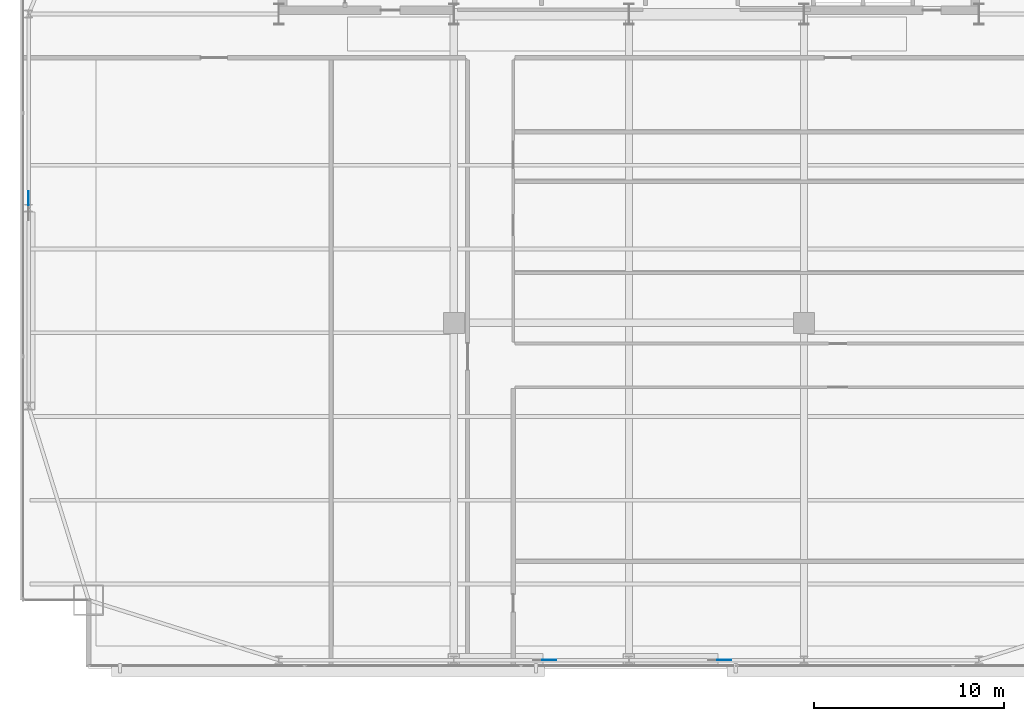
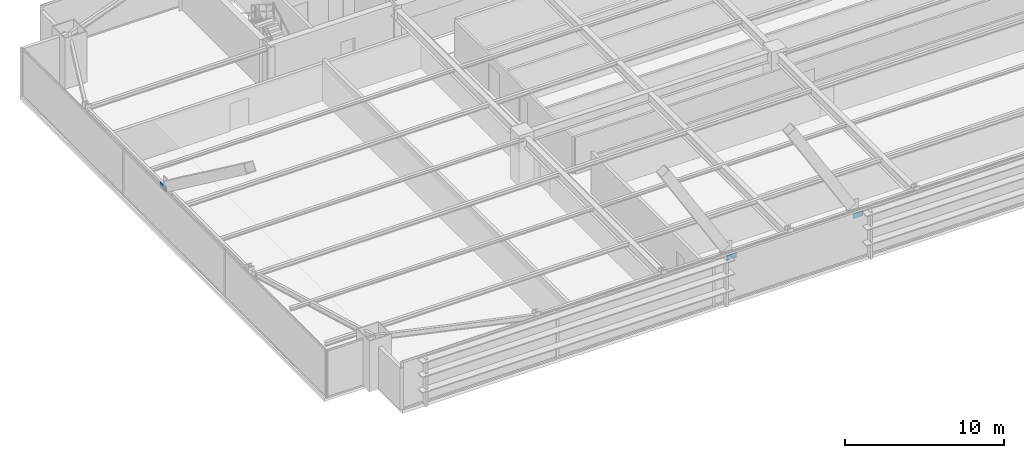
# One storey, part 29 of 35: 3 plates.
"""IFC4 building model written with IfcOpenShell, lengths in metres."""

from ifc_helpers import new_model, si_unit, direction, frame, origin, origin_2d, place, context, subcontext, project, spatial, rectangle, extrude, source, transform, mapped, material, layer, layer_set, type_object, type_shapes, element, save


model = new_model("IFC4")

# Units and contexts
model_context = context("Model", 3, precision=1e-05, world=origin(), true_north=direction((0.0, 1.0)))
body_context = subcontext(model_context, "Body", "Model", "MODEL_VIEW")
ifc_project = project(units=[si_unit("LENGTHUNIT", "METRE"), si_unit("AREAUNIT", "SQUARE_METRE"), si_unit("VOLUMEUNIT", "CUBIC_METRE"), si_unit("PLANEANGLEUNIT", "RADIAN"), si_unit("MASSUNIT", "GRAM", prefix="KILO")], contexts=[model_context])

# Site, building, storey
site_placement = place(None, origin())
site = spatial("IfcSite", under=ifc_project, at=site_placement, CompositionType="ELEMENT")
building_placement = place(site_placement, origin())
building = spatial("IfcBuilding", under=site, at=building_placement, Name="Varnel Quay Broadcast Tower", CompositionType="ELEMENT")
storey_placement = place(building_placement, frame((0.0, 0.0, 31.5)))
storey = spatial("IfcBuildingStorey", under=building, at=storey_placement, Name="L06", CompositionType="ELEMENT", Elevation=31.5)

# Plates
ifc_material = material(Name="Structural Steel CSA G40.21 350WT", Category="steel")
ifc_layer = layer(ifc_material, 0.031982421875, Name="Structural Steel CSA G40.21 350WT")
ifc_layer_set = layer_set([ifc_layer], Name="Structural Steel CSA G40.21 350WT")
plate_type = type_object("IfcPlateType", Name="Plate_EndCap", PredefinedType="USERDEFINED", material=ifc_layer_set)
shared_shape = source(origin(), body_context, "Body", "SweptSolid", [
    extrude(rectangle(XDim=0.719970703125, YDim=0.031982421875, at=origin_2d()), origin(), (0.0, 0.0, 1.0), 0.3798828125),
])
type_shapes(plate_type, [shared_shape])
for number, where, z_axis, x_axis, name in (
    (1, (29.812744140625, 1.64990234375, 2.898193359375), (0.0, 0.0, 1.0), (1.0, 0.0, 0.0), "Zone 1 Mega-Brace S-C1T1 Diag B1 End Connection Plate P1"),
    (2, (39.0126953125, 1.64990234375, 2.898193359375), (0.0, 0.0, 1.0), (1.0, 0.0, 0.0), "Zone 1 Mega-Brace S-C2T1 Diag B1 End Connection Plate P1"),
    (3, (2.449951171875, 25.91845703125, 3.12548828125), (0.0, 0.0, 1.0), (0.0, 1.0, 0.0), "Zone 1 Mega-Brace W-FT1 Diag B1 End Connection Plate P1"),
):
    element("IfcPlate", number, at=place(storey_placement, frame(where, z_axis=z_axis, x_axis=x_axis)), inside=storey, type_object=plate_type, Name=name, ObjectType="CAP_PLATE", PredefinedType="USERDEFINED", context=body_context, shape_type="MappedRepresentation", body=[
        mapped(shared_shape, transform((0.0, 0.0, 0.0), x_axis=(1.0, 0.0, 0.0), y_axis=(0.0, 1.0, 0.0), z_axis=(0.0, 0.0, 1.0), scale=1.0)),
    ])

save(model, "model.ifc")
